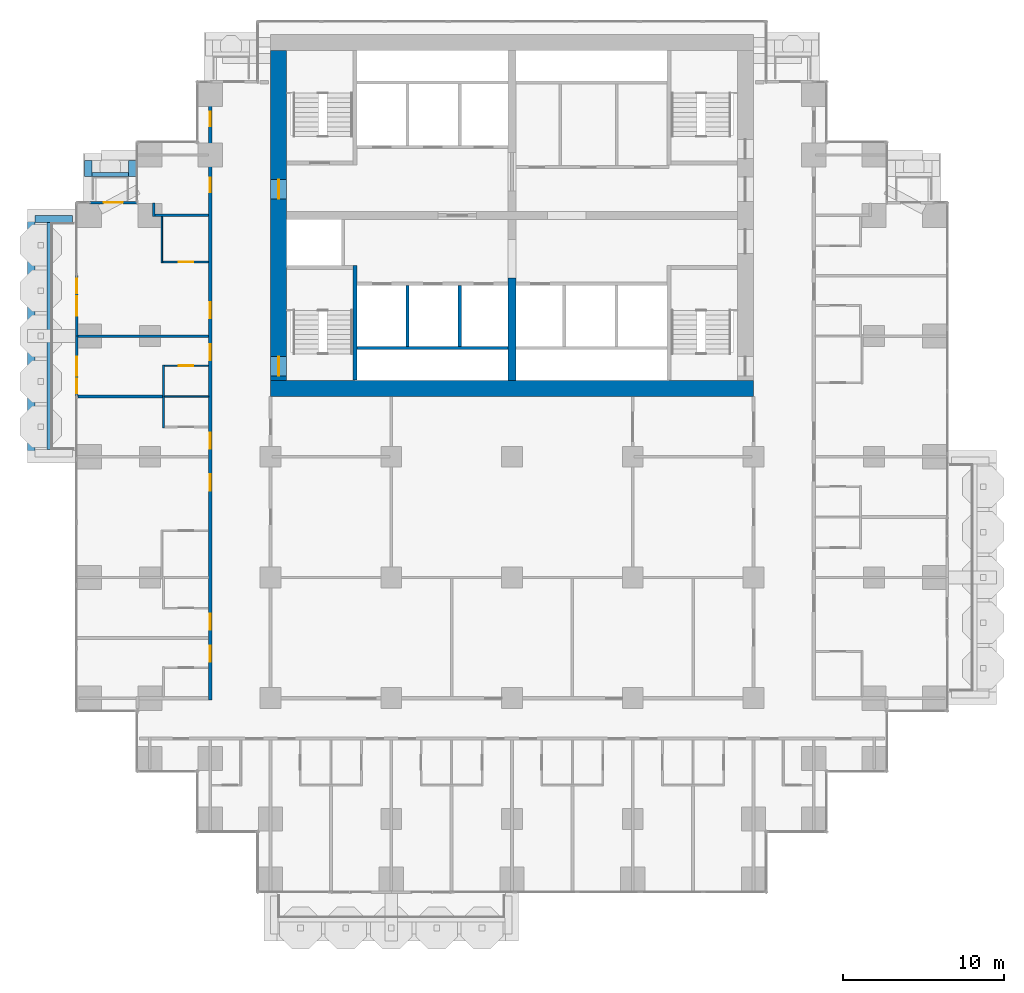
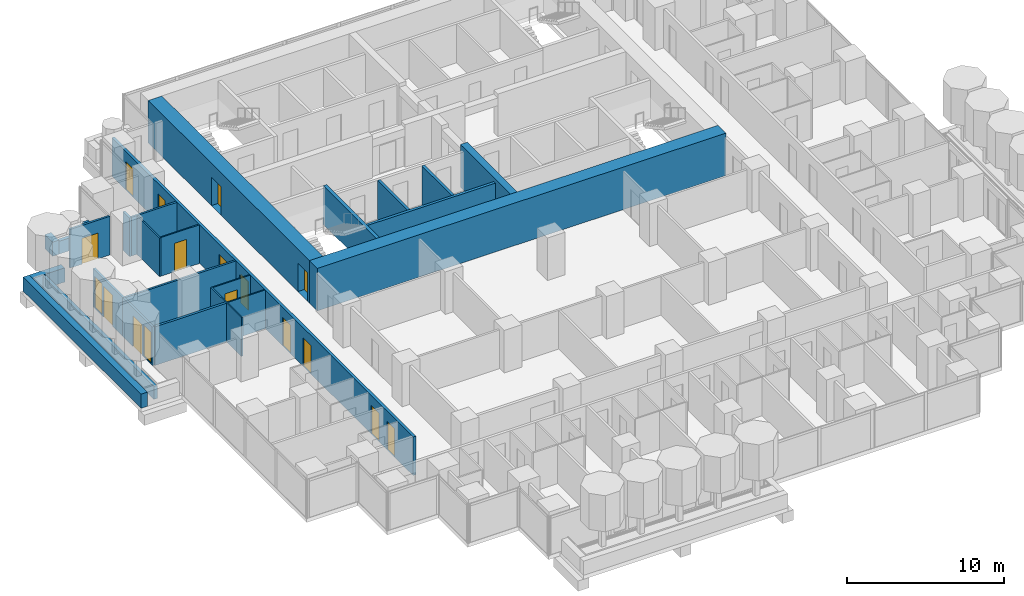
# One storey, part 13 of 19: 26 walls, 15 doors, 2 windows, 17 openings.
"""IFC4 building model written with IfcOpenShell, lengths in metres."""

from ifc_helpers import new_model, si_unit, direction, frame, frame_2d, origin, place, context, subcontext, project, spatial, rectangle, extrude, material, layer, layer_set, type_object, element, fill, save


model = new_model("IFC4")

# Units and contexts
model_context = context("Model", 3, precision=1e-05, world=origin(), true_north=direction((0.0, 1.0)))
body_context = subcontext(model_context, "Body", "Model", "MODEL_VIEW")
ifc_project = project(units=[si_unit("LENGTHUNIT", "METRE"), si_unit("AREAUNIT", "SQUARE_METRE"), si_unit("VOLUMEUNIT", "CUBIC_METRE"), si_unit("PLANEANGLEUNIT", "RADIAN"), si_unit("MASSUNIT", "GRAM", prefix="KILO")], contexts=[model_context])

# Site, building, storey
site_placement = place(None, origin())
site = spatial("IfcSite", under=ifc_project, at=site_placement, CompositionType="ELEMENT")
building_placement = place(site_placement, origin())
building = spatial("IfcBuilding", under=site, at=building_placement, Name="Pilkhan Gate Tower", CompositionType="ELEMENT")
storey_placement = place(building_placement, frame((0.0, 0.0, 95.60009765625)))
storey = spatial("IfcBuildingStorey", under=building, at=storey_placement, Name="L23", CompositionType="ELEMENT", Elevation=95.60009765625)

# Walls
ifc_material_1 = material(Name="Dense blockwork", Category="masonry")
ifc_layer_1 = layer(ifc_material_1, 0.175048828125)
ifc_layer_set_1 = layer_set([ifc_layer_1], Name="Acoustic party wall PW175")
wall_type_1 = type_object("IfcWallType", Name="Acoustic party wall PW175", PredefinedType="PARTITIONING", material=ifc_layer_set_1)
wall_1_placement = place(storey_placement, frame((48.0400390625, 71.25, 0.0), z_axis=(0.0, 0.0, 1.0), x_axis=(1.0, 0.0, 0.0)))
element("IfcWall", 1, at=wall_1_placement, inside=storey, type_object=wall_type_1, Name="Partition L23", PredefinedType="PARTITIONING", context=body_context, shape_type="SweptSolid", body=[
    extrude(rectangle(XDim=5.260009765625, YDim=0.175048828125, at=frame_2d((2.6298828125, 0.0))), origin(), (0.0, 0.0, 1.0), 3.0),
])
ifc_material_2 = material(Name="Concrete C40/50", Category="concrete")
ifc_layer_2 = layer(ifc_material_2, 0.25)
ifc_layer_set_2 = layer_set([ifc_layer_2], Name="Balcony planter BP250")
wall_type_2 = type_object("IfcWallType", Name="Balcony planter BP250", PredefinedType="USERDEFINED", material=ifc_layer_set_2)
wall_2_placement = place(storey_placement, frame((48.89990234375, 85.02490234375, 0.0), z_axis=(0.0, 0.0, 1.0), x_axis=(1.0, 0.0, 0.0)))
element("IfcWall", 2, at=wall_2_placement, inside=storey, type_object=wall_type_2, Name="Balcony planter L23 N", ObjectType="BALCONY PLANTER", PredefinedType="USERDEFINED", context=body_context, shape_type="SweptSolid", body=[
    extrude(rectangle(XDim=2.280029296875, YDim=0.25, at=frame_2d((1.14013671875, 0.0))), origin(), (0.0, 0.0, 1.0), 1.0),
])
wall_3_placement = place(storey_placement, frame((46.22509765625, 67.949951171875, 0.0), z_axis=(0.0, 0.0, 1.0), x_axis=(0.0, 1.0, 0.0)))
element("IfcWall", 3, at=wall_3_placement, inside=storey, type_object=wall_type_2, Name="Balcony planter L23 W", ObjectType="BALCONY PLANTER", PredefinedType="USERDEFINED", context=body_context, shape_type="SweptSolid", body=[
    extrude(rectangle(XDim=14.10009765625, YDim=0.25, at=frame_2d((7.050048828125, 0.0))), origin(), (0.0, 0.0, 1.0), 1.0),
])
ifc_material_3 = material(Name="Board-marked Concrete C40/50", Category="concrete")
ifc_layer_3 = layer(ifc_material_3, 0.449951171875)
ifc_layer_set_3 = layer_set([ifc_layer_3], Name="Balcony planter lip BL450")
wall_type_3 = type_object("IfcWallType", Name="Balcony planter lip BL450", PredefinedType="USERDEFINED", material=ifc_layer_set_3)
for number, where, z_axis, x_axis, name in (
    (4, (48.675048828125, 84.89990234375, 0.0), (0.0, 0.0, 1.0), (0.0, 1.0, 0.0), "Balcony planter L23 N"),
    (5, (51.405029296875, 84.89990234375, 0.0), (0.0, 0.0, 1.0), (0.0, 1.0, 0.0), "Balcony planter L23 N"),
):
    element("IfcWall", number, at=place(storey_placement, frame(where, z_axis=z_axis, x_axis=x_axis)), inside=storey, type_object=wall_type_3, Name=name, ObjectType="BALCONY PLANTER", PredefinedType="USERDEFINED", context=body_context, shape_type="SweptSolid", body=[
        extrude(rectangle(XDim=1.0, YDim=0.449951171875, at=frame_2d((0.5, 0.0))), origin(), (0.0, 0.0, 1.0), 1.099853515625),
    ])
wall_4_placement = place(storey_placement, frame((45.125, 67.5, 0.0), z_axis=(0.0, 0.0, 1.0), x_axis=(0.0, 1.0, 0.0)))
element("IfcWall", 6, at=wall_4_placement, inside=storey, type_object=wall_type_3, Name="Balcony planter L23 W", ObjectType="BALCONY PLANTER", PredefinedType="USERDEFINED", context=body_context, shape_type="SweptSolid", body=[
    extrude(rectangle(XDim=15.0, YDim=0.449951171875, at=frame_2d((7.5, 0.0))), origin(), (0.0, 0.0, 1.0), 1.099853515625),
])
wall_5_placement = place(storey_placement, frame((47.699951171875, 82.27490234375, 0.0), z_axis=(0.0, 0.0, 1.0), x_axis=(-1.0, 0.0, 0.0)))
element("IfcWall", 7, at=wall_5_placement, inside=storey, type_object=wall_type_3, Name="Balcony planter L23 W", ObjectType="BALCONY PLANTER", PredefinedType="USERDEFINED", context=body_context, shape_type="SweptSolid", body=[
    extrude(rectangle(XDim=2.349853515625, YDim=0.449951171875, at=frame_2d((1.1748046875, 0.0))), origin(), (0.0, 0.0, 1.0), 1.099853515625),
])
ifc_material_4 = material(Name="Concrete C70/85", Category="concrete")
ifc_layer_4 = layer(ifc_material_4, 1.0)
ifc_layer_set_4 = layer_set([ifc_layer_4], Name="Core wall CW1000 C70/85")
wall_type_4 = type_object("IfcWallType", Name="Core wall CW1000 C70/85", PredefinedType="SHEAR", material=ifc_layer_set_4)
wall_6_placement = place(storey_placement, frame((60.0, 71.75, 0.0), z_axis=(0.0, 0.0, 1.0), x_axis=(1.0, 0.0, 0.0)))
element("IfcWall", 8, at=wall_6_placement, inside=storey, type_object=wall_type_4, Name="Core wall S L23", PredefinedType="SHEAR", context=body_context, shape_type="SweptSolid", body=[
    extrude(rectangle(XDim=30.0, YDim=1.0, at=frame_2d((15.0, 0.0))), origin(), (0.0, 0.0, 1.0), 3.2998046875),
])

# Wall, openings, doors
wall_7_placement = place(storey_placement, frame((60.5, 92.75, 0.0), z_axis=(0.0, 0.0, 1.0), x_axis=(0.0, -1.0, 0.0)))
wall_7 = element("IfcWall", 9, at=wall_7_placement, inside=storey, type_object=wall_type_4, Name="Core wall W L23", PredefinedType="SHEAR", context=body_context, shape_type="SweptSolid", body=[
    extrude(rectangle(XDim=20.5, YDim=1.0, at=frame_2d((10.25, 0.0))), origin(), (0.0, 0.0, 1.0), 3.2998046875),
])
opening_1_placement = place(wall_7_placement, frame((19.02490234375, 0.0, 0.0)))
opening_1 = element("IfcOpeningElement", 10, at=opening_1_placement, cuts=wall_7, Name="Opening L23-04", PredefinedType="OPENING", context=body_context, shape_type="SweptSolid", body=[
    extrude(rectangle(XDim=1.199951171875, YDim=2.199951171875, at=frame_2d((0.60009765625, 1.10009765625))), frame((0.0, 0.510009765625, 0.0), z_axis=(0.0, -1.0, 0.0), x_axis=(1.0, 0.0, 0.0)), (0.0, 0.0, 1.0), 1.02001953125),
])
opening_2_placement = place(wall_7_placement, frame((8.02490234375, 0.0, 0.0)))
opening_2 = element("IfcOpeningElement", 11, at=opening_2_placement, cuts=wall_7, Name="Opening L23-51", PredefinedType="OPENING", context=body_context, shape_type="SweptSolid", body=[
    extrude(rectangle(XDim=1.199951171875, YDim=2.199951171875, at=frame_2d((0.60009765625, 1.10009765625))), frame((0.0, 0.510009765625, 0.0), z_axis=(0.0, -1.0, 0.0), x_axis=(1.0, 0.0, 0.0)), (0.0, 0.0, 1.0), 1.02001953125),
])
ifc_material_5 = material(Name="Steel door, 120 minute fire resisting, self-closing", Category="steel")
door_type_1 = type_object("IfcDoorType", Name="Firefighting lobby door D10 1200x2200", OperationType="SINGLE_SWING_LEFT", PredefinedType="DOOR", material=ifc_material_5)
door_1_placement = place(opening_2_placement, origin())
door_1 = element("IfcDoor", 12, at=door_1_placement, inside=storey, type_object=door_type_1, Name="Core door", OperationType="SINGLE_SWING_LEFT", OverallHeight=2.199951171875, OverallWidth=1.199951171875, PredefinedType="DOOR", context=body_context, shape_type="SweptSolid", body=[
    extrude(rectangle(XDim=1.199951171875, YDim=2.199951171875, at=frame_2d((0.60009765625, 1.10009765625))), frame((0.0, 0.02490234375, 0.0), z_axis=(0.0, -1.0, 0.0), x_axis=(1.0, 0.0, 0.0)), (0.0, 0.0, 1.0), 0.050048828125),
])
fill(opening_2, door_1)
ifc_material_6 = material(Name="Steel door, 120 minute fire resisting, panic bar", Category="steel")
door_type_2 = type_object("IfcDoorType", Name="Stair door D11 1200x2200", OperationType="SINGLE_SWING_LEFT", PredefinedType="DOOR", material=ifc_material_6)
door_2_placement = place(opening_1_placement, origin())
door_2 = element("IfcDoor", 13, at=door_2_placement, inside=storey, type_object=door_type_2, Name="Stair ST2 door", OperationType="SINGLE_SWING_RIGHT", OverallHeight=2.199951171875, OverallWidth=1.199951171875, PredefinedType="DOOR", context=body_context, shape_type="SweptSolid", body=[
    extrude(rectangle(XDim=1.199951171875, YDim=2.199951171875, at=frame_2d((0.60009765625, 1.10009765625))), frame((0.0, 0.02490234375, 0.0), z_axis=(0.0, -1.0, 0.0), x_axis=(1.0, 0.0, 0.0)), (0.0, 0.0, 1.0), 0.050048828125),
])
fill(opening_1, door_2)

ifc_layer_5 = layer(ifc_material_1, 0.199951171875)
ifc_layer_set_5 = layer_set([ifc_layer_5], Name="Corridor wall FW200")
wall_type_5 = type_object("IfcWallType", Name="Corridor wall FW200", PredefinedType="PARTITIONING", material=ifc_layer_set_5)
wall_8_placement = place(storey_placement, frame((56.25, 52.39990234375, 0.0), z_axis=(0.0, 0.0, 1.0), x_axis=(0.0, 1.0, 0.0)))
wall_8 = element("IfcWall", 14, at=wall_8_placement, inside=storey, type_object=wall_type_5, Name="Partition L23", PredefinedType="PARTITIONING", context=body_context, shape_type="SweptSolid", body=[
    extrude(rectangle(XDim=38.31005859375, YDim=0.199951171875, at=frame_2d((19.155029296875, 0.0))), origin(), (0.0, 0.0, 1.0), 3.0),
])
opening_3_placement = place(wall_8_placement, frame((2.35009765625, 0.0, 0.0)))
opening_3 = element("IfcOpeningElement", 15, at=opening_3_placement, cuts=wall_8, Name="Opening L23-26", PredefinedType="OPENING", context=body_context, shape_type="SweptSolid", body=[
    extrude(rectangle(XDim=1.0, YDim=2.199951171875, at=frame_2d((0.5, 1.10009765625))), frame((0.0, 0.10986328125, 0.0), z_axis=(0.0, -1.0, 0.0), x_axis=(1.0, 0.0, 0.0)), (0.0, 0.0, 1.0), 0.219970703125),
])
opening_4_placement = place(wall_8_placement, frame((4.35009765625, 0.0, 0.0)))
opening_4 = element("IfcOpeningElement", 16, at=opening_4_placement, cuts=wall_8, Name="Opening L23-28", PredefinedType="OPENING", context=body_context, shape_type="SweptSolid", body=[
    extrude(rectangle(XDim=1.0, YDim=2.199951171875, at=frame_2d((0.5, 1.10009765625))), frame((0.0, 0.10986328125, 0.0), z_axis=(0.0, -1.0, 0.0), x_axis=(1.0, 0.0, 0.0)), (0.0, 0.0, 1.0), 0.219970703125),
])
opening_5_placement = place(wall_8_placement, frame((13.0, 0.0, 0.0)))
opening_5 = element("IfcOpeningElement", 17, at=opening_5_placement, cuts=wall_8, Name="Opening L23-30", PredefinedType="OPENING", context=body_context, shape_type="SweptSolid", body=[
    extrude(rectangle(XDim=1.0, YDim=2.199951171875, at=frame_2d((0.5, 1.10009765625))), frame((0.0, 0.10986328125, 0.0), z_axis=(0.0, -1.0, 0.0), x_axis=(1.0, 0.0, 0.0)), (0.0, 0.0, 1.0), 0.219970703125),
])
opening_6_placement = place(wall_8_placement, frame((15.60009765625, 0.0, 0.0)))
opening_6 = element("IfcOpeningElement", 18, at=opening_6_placement, cuts=wall_8, Name="Opening L23-32", PredefinedType="OPENING", context=body_context, shape_type="SweptSolid", body=[
    extrude(rectangle(XDim=1.0, YDim=2.199951171875, at=frame_2d((0.5, 1.10009765625))), frame((0.0, 0.10986328125, 0.0), z_axis=(0.0, -1.0, 0.0), x_axis=(1.0, 0.0, 0.0)), (0.0, 0.0, 1.0), 0.219970703125),
])
opening_7_placement = place(wall_8_placement, frame((21.10009765625, 0.0, 0.0)))
opening_7 = element("IfcOpeningElement", 19, at=opening_7_placement, cuts=wall_8, Name="Opening L23-34", PredefinedType="OPENING", context=body_context, shape_type="SweptSolid", body=[
    extrude(rectangle(XDim=1.0, YDim=2.199951171875, at=frame_2d((0.5, 1.10009765625))), frame((0.0, 0.10986328125, 0.0), z_axis=(0.0, -1.0, 0.0), x_axis=(1.0, 0.0, 0.0)), (0.0, 0.0, 1.0), 0.219970703125),
])
opening_8_placement = place(wall_8_placement, frame((23.699951171875, 0.0, 0.0)))
opening_8 = element("IfcOpeningElement", 20, at=opening_8_placement, cuts=wall_8, Name="Opening L23-36", PredefinedType="OPENING", context=body_context, shape_type="SweptSolid", body=[
    extrude(rectangle(XDim=1.0, YDim=2.199951171875, at=frame_2d((0.5, 1.10009765625))), frame((0.0, 0.10986328125, 0.0), z_axis=(0.0, -1.0, 0.0), x_axis=(1.0, 0.0, 0.0)), (0.0, 0.0, 1.0), 0.219970703125),
])
opening_9_placement = place(wall_8_placement, frame((31.550048828125, 0.0, 0.0)))
opening_9 = element("IfcOpeningElement", 21, at=opening_9_placement, cuts=wall_8, Name="Opening L23-58", PredefinedType="OPENING", context=body_context, shape_type="SweptSolid", body=[
    extrude(rectangle(XDim=0.89990234375, YDim=2.199951171875, at=frame_2d((0.449951171875, 1.10009765625))), frame((0.0, 0.10986328125, 0.0), z_axis=(0.0, -1.0, 0.0), x_axis=(1.0, 0.0, 0.0)), (0.0, 0.0, 1.0), 0.219970703125),
])
opening_10_placement = place(wall_8_placement, frame((35.64990234375, 0.0, 0.0)))
opening_10 = element("IfcOpeningElement", 22, at=opening_10_placement, cuts=wall_8, Name="Opening L23-59", PredefinedType="OPENING", context=body_context, shape_type="SweptSolid", body=[
    extrude(rectangle(XDim=0.89990234375, YDim=2.199951171875, at=frame_2d((0.449951171875, 1.10009765625))), frame((0.0, 0.10986328125, 0.0), z_axis=(0.0, -1.0, 0.0), x_axis=(1.0, 0.0, 0.0)), (0.0, 0.0, 1.0), 0.219970703125),
])
ifc_material_7 = material(Name="Timber flush door, 30 minute fire resisting", Category="wood")
door_type_3 = type_object("IfcDoorType", Name="Guest room door D01 1000x2200", OperationType="SINGLE_SWING_LEFT", PredefinedType="DOOR", material=ifc_material_7)
door_3_placement = place(opening_3_placement, origin())
door_3 = element("IfcDoor", 23, at=door_3_placement, inside=storey, type_object=door_type_3, Name="Guest room door", OperationType="SINGLE_SWING_LEFT", OverallHeight=2.199951171875, OverallWidth=1.0, PredefinedType="DOOR", context=body_context, shape_type="SweptSolid", body=[
    extrude(rectangle(XDim=1.0, YDim=2.199951171875, at=frame_2d((0.5, 1.10009765625))), frame((0.0, 0.02490234375, 0.0), z_axis=(0.0, -1.0, 0.0), x_axis=(1.0, 0.0, 0.0)), (0.0, 0.0, 1.0), 0.050048828125),
])
fill(opening_3, door_3)
door_4_placement = place(opening_4_placement, origin())
door_4 = element("IfcDoor", 24, at=door_4_placement, inside=storey, type_object=door_type_3, Name="Guest room door", OperationType="SINGLE_SWING_LEFT", OverallHeight=2.199951171875, OverallWidth=1.0, PredefinedType="DOOR", context=body_context, shape_type="SweptSolid", body=[
    extrude(rectangle(XDim=1.0, YDim=2.199951171875, at=frame_2d((0.5, 1.10009765625))), frame((0.0, 0.02490234375, 0.0), z_axis=(0.0, -1.0, 0.0), x_axis=(1.0, 0.0, 0.0)), (0.0, 0.0, 1.0), 0.050048828125),
])
fill(opening_4, door_4)
door_5_placement = place(opening_5_placement, origin())
door_5 = element("IfcDoor", 25, at=door_5_placement, inside=storey, type_object=door_type_3, Name="Guest room door", OperationType="SINGLE_SWING_LEFT", OverallHeight=2.199951171875, OverallWidth=1.0, PredefinedType="DOOR", context=body_context, shape_type="SweptSolid", body=[
    extrude(rectangle(XDim=1.0, YDim=2.199951171875, at=frame_2d((0.5, 1.10009765625))), frame((0.0, 0.02490234375, 0.0), z_axis=(0.0, -1.0, 0.0), x_axis=(1.0, 0.0, 0.0)), (0.0, 0.0, 1.0), 0.050048828125),
])
fill(opening_5, door_5)
door_6_placement = place(opening_6_placement, origin())
door_6 = element("IfcDoor", 26, at=door_6_placement, inside=storey, type_object=door_type_3, Name="Guest room door", OperationType="SINGLE_SWING_LEFT", OverallHeight=2.199951171875, OverallWidth=1.0, PredefinedType="DOOR", context=body_context, shape_type="SweptSolid", body=[
    extrude(rectangle(XDim=1.0, YDim=2.199951171875, at=frame_2d((0.5, 1.10009765625))), frame((0.0, 0.02490234375, 0.0), z_axis=(0.0, -1.0, 0.0), x_axis=(1.0, 0.0, 0.0)), (0.0, 0.0, 1.0), 0.050048828125),
])
fill(opening_6, door_6)
door_7_placement = place(opening_7_placement, origin())
door_7 = element("IfcDoor", 27, at=door_7_placement, inside=storey, type_object=door_type_3, Name="Guest room door", OperationType="SINGLE_SWING_RIGHT", OverallHeight=2.199951171875, OverallWidth=1.0, PredefinedType="DOOR", context=body_context, shape_type="SweptSolid", body=[
    extrude(rectangle(XDim=1.0, YDim=2.199951171875, at=frame_2d((0.5, 1.10009765625))), frame((0.0, 0.02490234375, 0.0), z_axis=(0.0, -1.0, 0.0), x_axis=(1.0, 0.0, 0.0)), (0.0, 0.0, 1.0), 0.050048828125),
])
fill(opening_7, door_7)
door_8_placement = place(opening_8_placement, origin())
door_8 = element("IfcDoor", 28, at=door_8_placement, inside=storey, type_object=door_type_3, Name="Guest room door", OperationType="SINGLE_SWING_LEFT", OverallHeight=2.199951171875, OverallWidth=1.0, PredefinedType="DOOR", context=body_context, shape_type="SweptSolid", body=[
    extrude(rectangle(XDim=1.0, YDim=2.199951171875, at=frame_2d((0.5, 1.10009765625))), frame((0.0, 0.02490234375, 0.0), z_axis=(0.0, -1.0, 0.0), x_axis=(1.0, 0.0, 0.0)), (0.0, 0.0, 1.0), 0.050048828125),
])
fill(opening_8, door_8)
ifc_material_8 = material(Name="Timber flush door, 60 minute fire resisting, self-closing", Category="wood")
door_type_4 = type_object("IfcDoorType", Name="Store door D05 900x2200", OperationType="SINGLE_SWING_LEFT", PredefinedType="DOOR", material=ifc_material_8)
door_9_placement = place(opening_9_placement, origin())
door_9 = element("IfcDoor", 29, at=door_9_placement, inside=storey, type_object=door_type_4, Name="Store door", OperationType="SINGLE_SWING_LEFT", OverallHeight=2.199951171875, OverallWidth=0.89990234375, PredefinedType="DOOR", context=body_context, shape_type="SweptSolid", body=[
    extrude(rectangle(XDim=0.89990234375, YDim=2.199951171875, at=frame_2d((0.449951171875, 1.10009765625))), frame((0.0, 0.02490234375, 0.0), z_axis=(0.0, -1.0, 0.0), x_axis=(1.0, 0.0, 0.0)), (0.0, 0.0, 1.0), 0.050048828125),
])
fill(opening_9, door_9)
door_10_placement = place(opening_10_placement, origin())
door_10 = element("IfcDoor", 30, at=door_10_placement, inside=storey, type_object=door_type_4, Name="Store door", OperationType="SINGLE_SWING_RIGHT", OverallHeight=2.199951171875, OverallWidth=0.89990234375, PredefinedType="DOOR", context=body_context, shape_type="SweptSolid", body=[
    extrude(rectangle(XDim=0.89990234375, YDim=2.199951171875, at=frame_2d((0.449951171875, 1.10009765625))), frame((0.0, 0.02490234375, 0.0), z_axis=(0.0, -1.0, 0.0), x_axis=(1.0, 0.0, 0.0)), (0.0, 0.0, 1.0), 0.050048828125),
])
fill(opening_10, door_10)

# Wall, opening, door
ifc_material_9 = material(Name="Pale anodised aluminium, clear laminated glazing", Category="aluminium")
ifc_layer_6 = layer(ifc_material_9, 0.14990234375)
ifc_layer_set_6 = layer_set([ifc_layer_6], Name="Facade infill wall IW150")
wall_type_6 = type_object("IfcWallType", Name="Facade infill wall IW150", PredefinedType="SOLIDWALL", material=ifc_layer_set_6)
wall_9_placement = place(storey_placement, frame((48.75, 83.294921875, 0.0), z_axis=(0.0, 0.0, 1.0), x_axis=(1.0, 0.0, 0.0)))
wall_9 = element("IfcWall", 31, at=wall_9_placement, inside=storey, type_object=wall_type_6, Name="Infill wall L23 N", PredefinedType="SOLIDWALL", context=body_context, shape_type="SweptSolid", body=[
    extrude(rectangle(XDim=2.955078125, YDim=0.14990234375, at=frame_2d((1.4775390625, 0.0))), origin(), (0.0, 0.0, 1.0), 3.0),
])
opening_11_placement = place(wall_9_placement, frame((0.87744140625, 0.0, 0.0)))
opening_11 = element("IfcOpeningElement", 32, at=opening_11_placement, cuts=wall_9, Name="Opening D1L", PredefinedType="OPENING", context=body_context, shape_type="SweptSolid", body=[
    extrude(rectangle(XDim=1.199951171875, YDim=2.0, at=frame_2d((0.60009765625, 1.0))), frame((0.0, 0.0849609375, 0.0), z_axis=(0.0, -1.0, 0.0), x_axis=(1.0, 0.0, 0.0)), (0.0, 0.0, 1.0), 0.169921875),
])
ifc_material_10 = material(Name="Pale anodised aluminium, clear glazing", Category="aluminium")
door_type_5 = type_object("IfcDoorType", Name="Balcony door D1L 1200x2000", OperationType="SINGLE_SWING_LEFT", PredefinedType="DOOR", material=ifc_material_10)
door_11_placement = place(opening_11_placement, origin())
door_11 = element("IfcDoor", 33, at=door_11_placement, inside=storey, type_object=door_type_5, Name="Balcony door L23", OperationType="SINGLE_SWING_LEFT", OverallHeight=2.0, OverallWidth=1.199951171875, PredefinedType="DOOR", context=body_context, shape_type="SweptSolid", body=[
    extrude(rectangle(XDim=1.199951171875, YDim=2.0, at=frame_2d((0.60009765625, 1.0))), frame((0.0, 0.02490234375, 0.0), z_axis=(0.0, -1.0, 0.0), x_axis=(1.0, 0.0, 0.0)), (0.0, 0.0, 1.0), 0.050048828125),
])
fill(opening_11, door_11)

# Wall, openings, door, window
wall_10_placement = place(storey_placement, frame((47.955078125, 71.25, 0.0), z_axis=(0.0, 0.0, 1.0), x_axis=(0.0, 1.0, 0.0)))
wall_10 = element("IfcWall", 34, at=wall_10_placement, inside=storey, type_object=wall_type_6, Name="Infill wall L23 W", PredefinedType="SOLIDWALL", context=body_context, shape_type="SweptSolid", body=[
    extrude(rectangle(XDim=3.75, YDim=0.14990234375, at=frame_2d((1.875, 0.0))), origin(), (0.0, 0.0, 1.0), 3.0),
])
opening_12_placement = place(wall_10_placement, frame((0.1875, 0.0, 0.10009765625)))
opening_12 = element("IfcOpeningElement", 35, at=opening_12_placement, cuts=wall_10, Name="Opening W1", PredefinedType="OPENING", context=body_context, shape_type="SweptSolid", body=[
    extrude(rectangle(XDim=0.89990234375, YDim=2.39990234375, at=frame_2d((0.449951171875, 1.199951171875))), frame((0.0, 0.0849609375, 0.0), z_axis=(0.0, -1.0, 0.0), x_axis=(1.0, 0.0, 0.0)), (0.0, 0.0, 1.0), 0.169921875),
])
opening_13_placement = place(wall_10_placement, frame((1.27490234375, 0.0, 0.0)))
opening_13 = element("IfcOpeningElement", 36, at=opening_13_placement, cuts=wall_10, Name="Opening D1", PredefinedType="OPENING", context=body_context, shape_type="SweptSolid", body=[
    extrude(rectangle(XDim=1.199951171875, YDim=2.39990234375, at=frame_2d((0.60009765625, 1.199951171875))), frame((0.0, 0.0849609375, 0.0), z_axis=(0.0, -1.0, 0.0), x_axis=(1.0, 0.0, 0.0)), (0.0, 0.0, 1.0), 0.169921875),
])
door_type_6 = type_object("IfcDoorType", Name="Balcony door D1 1200x2400", OperationType="SINGLE_SWING_LEFT", PredefinedType="DOOR", material=ifc_material_10)
door_12_placement = place(opening_13_placement, origin())
door_12 = element("IfcDoor", 37, at=door_12_placement, inside=storey, type_object=door_type_6, Name="Balcony door L23", OperationType="SINGLE_SWING_LEFT", OverallHeight=2.39990234375, OverallWidth=1.199951171875, PredefinedType="DOOR", context=body_context, shape_type="SweptSolid", body=[
    extrude(rectangle(XDim=1.199951171875, YDim=2.39990234375, at=frame_2d((0.60009765625, 1.199951171875))), frame((0.0, 0.02490234375, 0.0), z_axis=(0.0, -1.0, 0.0), x_axis=(1.0, 0.0, 0.0)), (0.0, 0.0, 1.0), 0.050048828125),
])
fill(opening_13, door_12)
ifc_material_11 = material(Name="Pale anodised aluminium, clear double glazing", Category="aluminium")
window_type = type_object("IfcWindowType", Name="Window W1 900x2400", PartitioningType="SINGLE_PANEL", PredefinedType="WINDOW", material=ifc_material_11)
window_1_placement = place(opening_12_placement, origin())
window_1 = element("IfcWindow", 38, at=window_1_placement, inside=storey, type_object=window_type, Name="Window L23", OverallHeight=2.39990234375, OverallWidth=0.89990234375, PartitioningType="SINGLE_PANEL", PredefinedType="WINDOW", context=body_context, shape_type="SweptSolid", body=[
    extrude(rectangle(XDim=0.89990234375, YDim=2.39990234375, at=frame_2d((0.449951171875, 1.199951171875))), frame((0.0, 0.030029296875, 0.0), z_axis=(0.0, -1.0, 0.0), x_axis=(1.0, 0.0, 0.0)), (0.0, 0.0, 1.0), 0.06005859375),
])
fill(opening_12, window_1)

wall_11_placement = place(storey_placement, frame((47.955078125, 75.0, 0.0), z_axis=(0.0, 0.0, 1.0), x_axis=(0.0, 1.0, 0.0)))
wall_11 = element("IfcWall", 39, at=wall_11_placement, inside=storey, type_object=wall_type_6, Name="Infill wall L23 W", PredefinedType="SOLIDWALL", context=body_context, shape_type="SweptSolid", body=[
    extrude(rectangle(XDim=3.75, YDim=0.14990234375, at=frame_2d((1.875, 0.0))), origin(), (0.0, 0.0, 1.0), 3.0),
])
opening_14_placement = place(wall_11_placement, frame((1.27490234375, 0.0, 0.0)))
opening_14 = element("IfcOpeningElement", 40, at=opening_14_placement, cuts=wall_11, Name="Opening D1", PredefinedType="OPENING", context=body_context, shape_type="SweptSolid", body=[
    extrude(rectangle(XDim=1.199951171875, YDim=2.39990234375, at=frame_2d((0.60009765625, 1.199951171875))), frame((0.0, 0.0849609375, 0.0), z_axis=(0.0, -1.0, 0.0), x_axis=(1.0, 0.0, 0.0)), (0.0, 0.0, 1.0), 0.169921875),
])
opening_15_placement = place(wall_11_placement, frame((2.66259765625, 0.0, 0.10009765625)))
opening_15 = element("IfcOpeningElement", 41, at=opening_15_placement, cuts=wall_11, Name="Opening W1", PredefinedType="OPENING", context=body_context, shape_type="SweptSolid", body=[
    extrude(rectangle(XDim=0.89990234375, YDim=2.39990234375, at=frame_2d((0.449951171875, 1.199951171875))), frame((0.0, 0.0849609375, 0.0), z_axis=(0.0, -1.0, 0.0), x_axis=(1.0, 0.0, 0.0)), (0.0, 0.0, 1.0), 0.169921875),
])
door_13_placement = place(opening_14_placement, origin())
door_13 = element("IfcDoor", 42, at=door_13_placement, inside=storey, type_object=door_type_6, Name="Balcony door L23", OperationType="SINGLE_SWING_LEFT", OverallHeight=2.39990234375, OverallWidth=1.199951171875, PredefinedType="DOOR", context=body_context, shape_type="SweptSolid", body=[
    extrude(rectangle(XDim=1.199951171875, YDim=2.39990234375, at=frame_2d((0.60009765625, 1.199951171875))), frame((0.0, 0.02490234375, 0.0), z_axis=(0.0, -1.0, 0.0), x_axis=(1.0, 0.0, 0.0)), (0.0, 0.0, 1.0), 0.050048828125),
])
fill(opening_14, door_13)
window_2_placement = place(opening_15_placement, origin())
window_2 = element("IfcWindow", 43, at=window_2_placement, inside=storey, type_object=window_type, Name="Window L23", OverallHeight=2.39990234375, OverallWidth=0.89990234375, PartitioningType="SINGLE_PANEL", PredefinedType="WINDOW", context=body_context, shape_type="SweptSolid", body=[
    extrude(rectangle(XDim=0.89990234375, YDim=2.39990234375, at=frame_2d((0.449951171875, 1.199951171875))), frame((0.0, 0.030029296875, 0.0), z_axis=(0.0, -1.0, 0.0), x_axis=(1.0, 0.0, 0.0)), (0.0, 0.0, 1.0), 0.06005859375),
])
fill(opening_15, window_2)

# Walls
ifc_material_12 = material(Name="Blockwork partition, plastered both sides", Category="masonry")
ifc_layer_7 = layer(ifc_material_12, 0.14990234375)
ifc_layer_set_7 = layer_set([ifc_layer_7], Name="Partition PW150")
wall_type_7 = type_object("IfcWallType", Name="Partition PW150", PredefinedType="PARTITIONING", material=ifc_layer_set_7)
wall_12_placement = place(storey_placement, frame((48.0400390625, 75.0, 0.0), z_axis=(0.0, 0.0, 1.0), x_axis=(1.0, 0.0, 0.0)))
element("IfcWall", 44, at=wall_12_placement, inside=storey, type_object=wall_type_7, Name="Partition L23", PredefinedType="PARTITIONING", context=body_context, shape_type="SweptSolid", body=[
    extrude(rectangle(XDim=8.10986328125, YDim=0.14990234375, at=frame_2d((4.054931640625, 0.0))), origin(), (0.0, 0.0, 1.0), 3.0),
])
wall_13_placement = place(storey_placement, frame((52.81005859375, 82.5, 0.0), z_axis=(0.0, 0.0, 1.0), x_axis=(1.0, 0.0, 0.0)))
element("IfcWall", 45, at=wall_13_placement, inside=storey, type_object=wall_type_7, Name="Partition L23", PredefinedType="PARTITIONING", context=body_context, shape_type="SweptSolid", body=[
    extrude(rectangle(XDim=3.33984375, YDim=0.14990234375, at=frame_2d((1.669921875, 0.0))), origin(), (0.0, 0.0, 1.0), 3.0),
])
wall_14_placement = place(storey_placement, frame((52.735107421875, 82.425048828125, 0.0), z_axis=(0.0, 0.0, 1.0), x_axis=(0.0, 1.0, 0.0)))
element("IfcWall", 46, at=wall_14_placement, inside=storey, type_object=wall_type_7, Name="Partition L23", PredefinedType="PARTITIONING", context=body_context, shape_type="SweptSolid", body=[
    extrude(rectangle(XDim=0.83984375, YDim=0.14990234375, at=frame_2d((0.419921875, 0.0))), origin(), (0.0, 0.0, 1.0), 3.0),
])
ifc_material_13 = material(Name="Reinforced blockwork shaft wall, 120 minute fire resisting", Category="masonry")
ifc_layer_8 = layer(ifc_material_13, 0.199951171875)
ifc_layer_set_8 = layer_set([ifc_layer_8], Name="Shaft wall SW200")
wall_type_8 = type_object("IfcWallType", Name="Shaft wall SW200", PredefinedType="PARTITIONING", material=ifc_layer_set_8)
wall_15_placement = place(storey_placement, frame((65.375, 74.25, 0.0), z_axis=(0.0, 0.0, 1.0), x_axis=(1.0, 0.0, 0.0)))
element("IfcWall", 47, at=wall_15_placement, inside=storey, type_object=wall_type_8, Name="Partition L23", PredefinedType="PARTITIONING", context=body_context, shape_type="SweptSolid", body=[
    extrude(rectangle(XDim=9.364990234375, YDim=0.199951171875, at=frame_2d((4.6826171875, 0.0))), origin(), (0.0, 0.0, 1.0), 3.0),
])
for number, where, z_axis, x_axis, name in (
    (48, (68.5, 74.35009765625, 0.0), (0.0, 0.0, 1.0), (0.0, 1.0, 0.0), "Partition L23"),
    (49, (71.75, 74.35009765625, 0.0), (0.0, 0.0, 1.0), (0.0, 1.0, 0.0), "Partition L23"),
):
    element("IfcWall", number, at=place(storey_placement, frame(where, z_axis=z_axis, x_axis=x_axis)), inside=storey, type_object=wall_type_8, Name=name, PredefinedType="PARTITIONING", context=body_context, shape_type="SweptSolid", body=[
        extrude(rectangle(XDim=3.7998046875, YDim=0.199951171875, at=frame_2d((1.89990234375, 0.0))), origin(), (0.0, 0.0, 1.0), 3.0),
    ])
ifc_layer_9 = layer(ifc_material_4, 0.5)
ifc_layer_set_9 = layer_set([ifc_layer_9], Name="Spine wall SW500 C70/85")
wall_type_9 = type_object("IfcWallType", Name="Spine wall SW500 C70/85", PredefinedType="SHEAR", material=ifc_layer_set_9)
wall_16_placement = place(storey_placement, frame((75.0, 72.25, 0.0), z_axis=(0.0, 0.0, 1.0), x_axis=(0.0, 1.0, 0.0)))
element("IfcWall", 50, at=wall_16_placement, inside=storey, type_object=wall_type_9, Name="Spine wall SP-NS-S1 L23", PredefinedType="SHEAR", context=body_context, shape_type="SweptSolid", body=[
    extrude(rectangle(XDim=6.35009765625, YDim=0.5, at=frame_2d((3.175048828125, 0.0))), origin(), (0.0, 0.0, 1.0), 3.2998046875),
])
ifc_material_14 = material(Name="Reinforced blockwork, 120 minute fire resisting", Category="masonry")
ifc_layer_10 = layer(ifc_material_14, 0.25)
ifc_layer_set_10 = layer_set([ifc_layer_10], Name="Stair enclosure wall SE250")
wall_type_10 = type_object("IfcWallType", Name="Stair enclosure wall SE250", PredefinedType="PARTITIONING", material=ifc_layer_set_10)
wall_17_placement = place(storey_placement, frame((65.25, 72.260009765625, 0.0), z_axis=(0.0, 0.0, 1.0), x_axis=(0.0, 1.0, 0.0)))
element("IfcWall", 51, at=wall_17_placement, inside=storey, type_object=wall_type_10, Name="Partition L23", PredefinedType="PARTITIONING", context=body_context, shape_type="SweptSolid", body=[
    extrude(rectangle(XDim=7.114990234375, YDim=0.25, at=frame_2d((3.5576171875, 0.0))), origin(), (0.0, 0.0, 1.0), 3.0),
])
ifc_material_15 = material(Name="Moisture resistant board, tiled")
ifc_layer_11 = layer(ifc_material_15, 0.10009765625)
ifc_layer_set_11 = layer_set([ifc_layer_11], Name="Wet wall PW100")
wall_type_11 = type_object("IfcWallType", Name="Wet wall PW100", PredefinedType="PARTITIONING", material=ifc_layer_set_11)
wall_18_placement = place(storey_placement, frame((53.39990234375, 71.25, 0.0), z_axis=(0.0, 0.0, 1.0), x_axis=(1.0, 0.0, 0.0)))
element("IfcWall", 52, at=wall_18_placement, inside=storey, type_object=wall_type_11, Name="Partition L23", PredefinedType="PARTITIONING", context=body_context, shape_type="SweptSolid", body=[
    extrude(rectangle(XDim=2.75, YDim=0.10009765625, at=frame_2d((1.375, 0.0))), origin(), (0.0, 0.0, 1.0), 3.0),
])

# Wall, opening, door
wall_19_placement = place(storey_placement, frame((53.39990234375, 73.14990234375, 0.0), z_axis=(0.0, 0.0, 1.0), x_axis=(1.0, 0.0, 0.0)))
wall_19 = element("IfcWall", 53, at=wall_19_placement, inside=storey, type_object=wall_type_11, Name="Partition L23", PredefinedType="PARTITIONING", context=body_context, shape_type="SweptSolid", body=[
    extrude(rectangle(XDim=2.75, YDim=0.10009765625, at=frame_2d((1.375, 0.0))), origin(), (0.0, 0.0, 1.0), 3.0),
])
opening_16_placement = place(wall_19_placement, frame((0.89990234375, 0.0, 0.0)))
opening_16 = element("IfcOpeningElement", 54, at=opening_16_placement, cuts=wall_19, Name="Opening L23-35", PredefinedType="OPENING", context=body_context, shape_type="SweptSolid", body=[
    extrude(rectangle(XDim=0.89990234375, YDim=2.199951171875, at=frame_2d((0.449951171875, 1.10009765625))), frame((0.0, 0.06005859375, 0.0), z_axis=(0.0, -1.0, 0.0), x_axis=(1.0, 0.0, 0.0)), (0.0, 0.0, 1.0), 0.1201171875),
])
ifc_material_16 = material(Name="Timber flush door", Category="wood")
door_type_7 = type_object("IfcDoorType", Name="Bathroom door D02 900x2200", OperationType="SINGLE_SWING_RIGHT", PredefinedType="DOOR", material=ifc_material_16)
door_14_placement = place(opening_16_placement, origin())
door_14 = element("IfcDoor", 55, at=door_14_placement, inside=storey, type_object=door_type_7, Name="Bathroom door", OperationType="SINGLE_SWING_RIGHT", OverallHeight=2.199951171875, OverallWidth=0.89990234375, PredefinedType="DOOR", context=body_context, shape_type="SweptSolid", body=[
    extrude(rectangle(XDim=0.89990234375, YDim=2.199951171875, at=frame_2d((0.449951171875, 1.10009765625))), frame((0.0, 0.02490234375, 0.0), z_axis=(0.0, -1.0, 0.0), x_axis=(1.0, 0.0, 0.0)), (0.0, 0.0, 1.0), 0.050048828125),
])
fill(opening_16, door_14)

wall_20_placement = place(storey_placement, frame((53.300048828125, 79.60009765625, 0.0), z_axis=(0.0, 0.0, 1.0), x_axis=(1.0, 0.0, 0.0)))
wall_20 = element("IfcWall", 56, at=wall_20_placement, inside=storey, type_object=wall_type_11, Name="Partition L23", PredefinedType="PARTITIONING", context=body_context, shape_type="SweptSolid", body=[
    extrude(rectangle(XDim=2.849853515625, YDim=0.10009765625, at=frame_2d((1.4248046875, 0.0))), origin(), (0.0, 0.0, 1.0), 3.0),
])
opening_17_placement = place(wall_20_placement, frame((1.0, 0.0, 0.0)))
opening_17 = element("IfcOpeningElement", 57, at=opening_17_placement, cuts=wall_20, Name="Opening L23-37", PredefinedType="OPENING", context=body_context, shape_type="SweptSolid", body=[
    extrude(rectangle(XDim=0.89990234375, YDim=2.199951171875, at=frame_2d((0.449951171875, 1.10009765625))), frame((0.0, 0.06005859375, 0.0), z_axis=(0.0, -1.0, 0.0), x_axis=(1.0, 0.0, 0.0)), (0.0, 0.0, 1.0), 0.1201171875),
])
door_15_placement = place(opening_17_placement, origin())
door_15 = element("IfcDoor", 58, at=door_15_placement, inside=storey, type_object=door_type_7, Name="Bathroom door", OperationType="SINGLE_SWING_RIGHT", OverallHeight=2.199951171875, OverallWidth=0.89990234375, PredefinedType="DOOR", context=body_context, shape_type="SweptSolid", body=[
    extrude(rectangle(XDim=0.89990234375, YDim=2.199951171875, at=frame_2d((0.449951171875, 1.10009765625))), frame((0.0, 0.02490234375, 0.0), z_axis=(0.0, -1.0, 0.0), x_axis=(1.0, 0.0, 0.0)), (0.0, 0.0, 1.0), 0.050048828125),
])
fill(opening_17, door_15)

# Walls
wall_21_placement = place(storey_placement, frame((53.25, 79.550048828125, 0.0), z_axis=(0.0, 0.0, 1.0), x_axis=(0.0, 1.0, 0.0)))
element("IfcWall", 59, at=wall_21_placement, inside=storey, type_object=wall_type_11, Name="Partition L23", PredefinedType="PARTITIONING", context=body_context, shape_type="SweptSolid", body=[
    extrude(rectangle(XDim=2.875, YDim=0.10009765625, at=frame_2d((1.4375, 0.0))), origin(), (0.0, 0.0, 1.0), 3.0),
])
wall_22_placement = place(storey_placement, frame((53.35009765625, 69.300048828125, 0.0), z_axis=(0.0, 0.0, 1.0), x_axis=(0.0, 1.0, 0.0)))
element("IfcWall", 60, at=wall_22_placement, inside=storey, type_object=wall_type_11, Name="Partition L23", PredefinedType="PARTITIONING", context=body_context, shape_type="SweptSolid", body=[
    extrude(rectangle(XDim=3.89990234375, YDim=0.10009765625, at=frame_2d((1.949951171875, 0.0))), origin(), (0.0, 0.0, 1.0), 3.0),
])

save(model, "model.ifc")
